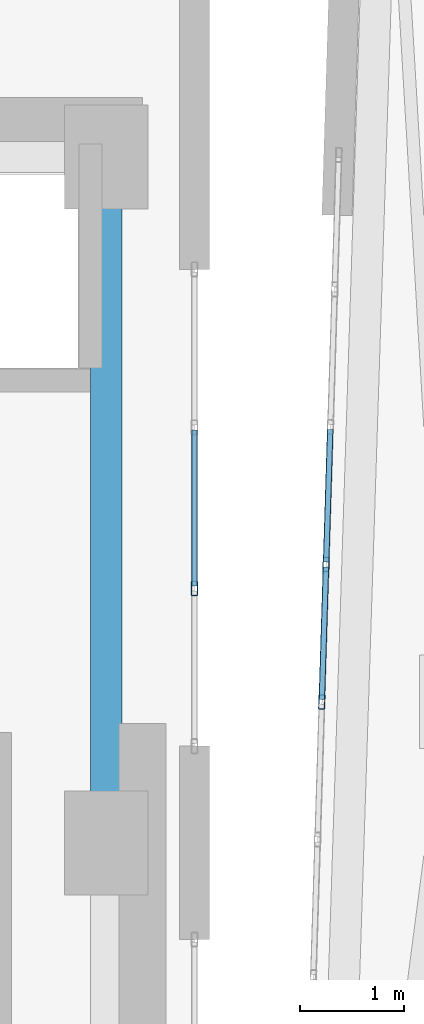
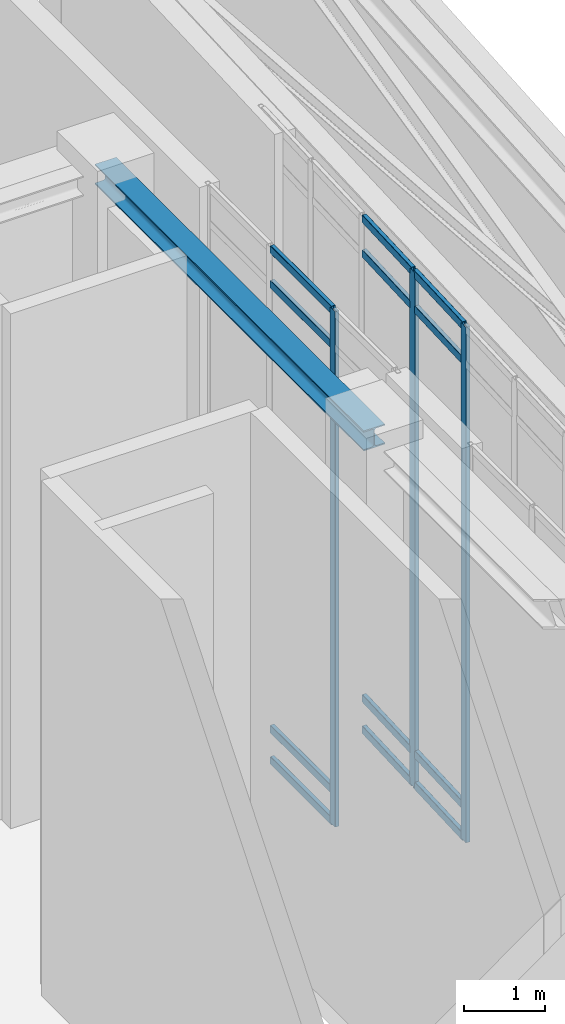
# One storey, part 6 of 12: 15 members, 1 beam, 2 elements without a shape of their own.
"""IFC4 building model written with IfcOpenShell, lengths in metres."""

from ifc_helpers import new_model, si_unit, direction, frame, origin, origin_2d, place, context, subcontext, project, spatial, hollow_rectangle, i_section, extrude, material, layer, layer_set, material_profile, profile_set, type_object, element, aggregate, save


model = new_model("IFC4")

# Units and contexts
model_context = context("Model", 3, precision=1e-05, world=origin(), true_north=direction((0.0, 1.0)))
body_context = subcontext(model_context, "Body", "Model", "MODEL_VIEW")
ifc_project = project(units=[si_unit("LENGTHUNIT", "METRE"), si_unit("AREAUNIT", "SQUARE_METRE"), si_unit("VOLUMEUNIT", "CUBIC_METRE"), si_unit("PLANEANGLEUNIT", "RADIAN"), si_unit("MASSUNIT", "GRAM", prefix="KILO")], contexts=[model_context])

# Site, building, storey
site_placement = place(None, origin())
site = spatial("IfcSite", under=ifc_project, at=site_placement, CompositionType="ELEMENT")
building_placement = place(site_placement, origin())
building = spatial("IfcBuilding", under=site, at=building_placement, Name="Ndelora Gate Hotel", CompositionType="ELEMENT")
storey_placement = place(building_placement, frame((0.0, 0.0, 303.60009765625)))
storey = spatial("IfcBuildingStorey", under=building, at=storey_placement, Name="RF1", CompositionType="ELEMENT", Elevation=303.60009765625)

# Beam
ifc_material_1 = material(Name="Steel S355", Category="steel")
ifc_material_profile_1 = material_profile(ifc_material_1, i_section(OverallWidth=0.300048828125, OverallDepth=0.300048828125, WebThickness=0.010986328125, FlangeThickness=0.01904296875, FilletRadius=0.027099609375, at=origin_2d()), Name="HEB 300")
ifc_profile_set_1 = profile_set([ifc_material_profile_1], Name="Steel S355")
beam_type = type_object("IfcBeamType", Name="BM-CORE-300", PredefinedType="BEAM", material=ifc_profile_set_1)
beam_placement = place(storey_placement, frame((8.0, 0.0, 7.56982421875), z_axis=(0.0, 1.0, 0.0), x_axis=(-1.0, 0.0, 0.0)))
element("IfcBeam", 1, at=beam_placement, inside=storey, type_object=beam_type, Name="RF1 Core Tie Girder CC4-CC5", PredefinedType="BEAM", context=body_context, shape_type="SweptSolid", body=[
    extrude(i_section(OverallWidth=0.300048828125, OverallDepth=0.300048828125, WebThickness=0.010986328125, FlangeThickness=0.01904296875, FilletRadius=0.027099609375, at=origin_2d()), origin(), (0.0, 0.0, 1.0), 6.60009765625),
])

# Curtain wall, member
ifc_material_2 = material(Name="Bronze Anodised Unitised Aluminium and Low-E Glass", Category="aluminium")
ifc_layer = layer(ifc_material_2, 0.199951171875)
ifc_layer_set = layer_set([ifc_layer], Name="Bronze Anodised Unitised Aluminium and Low-E Glass")
curtain_wall_type = type_object("IfcCurtainWallType", Name="CW-SYS-8", PredefinedType="NOTDEFINED", material=ifc_layer_set)
curtain_wall_1_placement = place(storey_placement, origin())
curtain_wall_1 = element("IfcCurtainWall", 2, at=curtain_wall_1_placement, inside=storey, type_object=curtain_wall_type, Name="RF1 Split-Crown West Cleft Lantern Curtain Wall CW8-2", PredefinedType="NOTDEFINED")
ifc_material_3 = material(Name="Bronze Anodised Aluminium 6063-T6", Category="aluminium")
ifc_material_profile_2 = material_profile(ifc_material_3, hollow_rectangle(XDim=0.06005859375, YDim=0.139892578125, WallThickness=0.00390625, InnerFilletRadius=0.00390625, OuterFilletRadius=0.008056640625, at=origin_2d()), Name="ALU 140x60x4")
ifc_profile_set_2 = profile_set([ifc_material_profile_2], Name="Bronze Anodised Aluminium 6063-T6")
member_type_1 = type_object("IfcMemberType", Name="MB-CW-MUL140", PredefinedType="MULLION", material=ifc_profile_set_2)
member_1_placement = place(storey_placement, frame((8.85009765625, 2.449951171875, -0.004150390625), z_axis=(0.0, 0.0, 1.0), x_axis=(-1.0, 0.0, 0.0)))
member_1 = element("IfcMember", 3, at=member_1_placement, type_object=member_type_1, Name="CW8 mullion 2", PredefinedType="MULLION", context=body_context, shape_type="SweptSolid", body=[
    extrude(hollow_rectangle(XDim=0.06005859375, YDim=0.139892578125, WallThickness=0.00390625, InnerFilletRadius=0.00390625, OuterFilletRadius=0.008056640625, at=origin_2d()), origin(), (0.0, 0.0, 1.0), 7.72802734375),
])

# Curtain wall, members
curtain_wall_2_placement = place(storey_placement, origin())
curtain_wall_2 = element("IfcCurtainWall", 4, at=curtain_wall_2_placement, inside=storey, type_object=curtain_wall_type, Name="RF1 Split-Crown East Cleft Lantern Curtain Wall CW8", PredefinedType="NOTDEFINED")
member_2_placement = place(storey_placement, frame((10.115966796875, 2.68017578125, -0.004150390625), z_axis=(0.0, 0.0, 1.0), x_axis=(0.999515302198, -0.031131345484, 0.0)))
member_2 = element("IfcMember", 5, at=member_2_placement, type_object=member_type_1, Name="CW8 mullion 4", PredefinedType="MULLION", context=body_context, shape_type="SweptSolid", body=[
    extrude(hollow_rectangle(XDim=0.06005859375, YDim=0.139892578125, WallThickness=0.00390625, InnerFilletRadius=0.00390625, OuterFilletRadius=0.008056640625, at=origin_2d()), origin(), (0.0, 0.0, 1.0), 7.72802734375),
])
member_3_placement = place(storey_placement, frame((10.074951171875, 1.356201171875, -0.004150390625), z_axis=(0.0, 0.0, 1.0), x_axis=(0.999515302198, -0.031131345484, 0.0)))
member_3 = element("IfcMember", 6, at=member_3_placement, type_object=member_type_1, Name="CW8 mullion 5", PredefinedType="MULLION", context=body_context, shape_type="SweptSolid", body=[
    extrude(hollow_rectangle(XDim=0.06005859375, YDim=0.139892578125, WallThickness=0.00390625, InnerFilletRadius=0.00390625, OuterFilletRadius=0.008056640625, at=origin_2d()), origin(), (0.0, 0.0, 1.0), 7.72802734375),
])

# Member
ifc_material_profile_3 = material_profile(ifc_material_3, hollow_rectangle(XDim=0.06005859375, YDim=0.1201171875, WallThickness=0.00390625, InnerFilletRadius=0.00390625, OuterFilletRadius=0.008056640625, at=origin_2d()), Name="ALU 120x60x4")
ifc_profile_set_3 = profile_set([ifc_material_profile_3], Name="Bronze Anodised Aluminium 6063-T6")
member_type_2 = type_object("IfcMemberType", Name="MB-CW-TRN120", PredefinedType="USERDEFINED", material=ifc_profile_set_3)
member_4_placement = place(storey_placement, frame((8.85009765625, 2.47412109375, 0.02978515625), z_axis=(0.0, 1.0, 0.0), x_axis=(-1.0, 0.0, 0.0)))
member_4 = element("IfcMember", 7, at=member_4_placement, type_object=member_type_2, Name="CW8 transom 2.1", ObjectType="TRANSOM", PredefinedType="USERDEFINED", context=body_context, shape_type="SweptSolid", body=[
    extrude(hollow_rectangle(XDim=0.06005859375, YDim=0.1201171875, WallThickness=0.00390625, InnerFilletRadius=0.00390625, OuterFilletRadius=0.008056640625, at=origin_2d()), origin(), (0.0, 0.0, 1.0), 1.501953125),
])

member_5_placement = place(storey_placement, frame((8.85009765625, 2.47412109375, 0.5), z_axis=(0.0, 1.0, 0.0), x_axis=(-1.0, 0.0, 0.0)))
member_5 = element("IfcMember", 8, at=member_5_placement, type_object=member_type_2, Name="CW8 transom 2.2", ObjectType="TRANSOM", PredefinedType="USERDEFINED", context=body_context, shape_type="SweptSolid", body=[
    extrude(hollow_rectangle(XDim=0.06005859375, YDim=0.1201171875, WallThickness=0.00390625, InnerFilletRadius=0.00390625, OuterFilletRadius=0.008056640625, at=origin_2d()), origin(), (0.0, 0.0, 1.0), 1.501953125),
])

member_6_placement = place(storey_placement, frame((8.85009765625, 2.47412109375, 7.169921875), z_axis=(0.0, 1.0, 0.0), x_axis=(-1.0, 0.0, 0.0)))
member_6 = element("IfcMember", 9, at=member_6_placement, type_object=member_type_2, Name="CW8 transom 2.3", ObjectType="TRANSOM", PredefinedType="USERDEFINED", context=body_context, shape_type="SweptSolid", body=[
    extrude(hollow_rectangle(XDim=0.06005859375, YDim=0.1201171875, WallThickness=0.00390625, InnerFilletRadius=0.00390625, OuterFilletRadius=0.008056640625, at=origin_2d()), origin(), (0.0, 0.0, 1.0), 1.501953125),
])

member_7_placement = place(storey_placement, frame((8.85009765625, 2.47412109375, 7.68994140625), z_axis=(0.0, 1.0, 0.0), x_axis=(-1.0, 0.0, 0.0)))
member_7 = element("IfcMember", 10, at=member_7_placement, type_object=member_type_2, Name="CW8 transom 2.4", ObjectType="TRANSOM", PredefinedType="USERDEFINED", context=body_context, shape_type="SweptSolid", body=[
    extrude(hollow_rectangle(XDim=0.06005859375, YDim=0.1201171875, WallThickness=0.00390625, InnerFilletRadius=0.00390625, OuterFilletRadius=0.008056640625, at=origin_2d()), origin(), (0.0, 0.0, 1.0), 1.501953125),
])

aggregate(curtain_wall_1, [member_1, member_4, member_5, member_6, member_7])

member_8_placement = place(storey_placement, frame((10.156494140625, 3.980224609375, 0.02978515625), z_axis=(-0.030983968775, -0.999519881583, 0.0), x_axis=(0.999519881583, -0.030983968775, 0.0)))
member_8 = element("IfcMember", 11, at=member_8_placement, type_object=member_type_2, Name="CW8 transom 3.1", ObjectType="TRANSOM", PredefinedType="USERDEFINED", context=body_context, shape_type="SweptSolid", body=[
    extrude(hollow_rectangle(XDim=0.06005859375, YDim=0.1201171875, WallThickness=0.00390625, InnerFilletRadius=0.00390625, OuterFilletRadius=0.008056640625, at=origin_2d()), origin(), (0.0, 0.0, 1.0), 1.276611328125),
])

member_9_placement = place(storey_placement, frame((10.156494140625, 3.980224609375, 0.5), z_axis=(-0.030983968775, -0.999519881583, 0.0), x_axis=(0.999519881583, -0.030983968775, 0.0)))
member_9 = element("IfcMember", 12, at=member_9_placement, type_object=member_type_2, Name="CW8 transom 3.2", ObjectType="TRANSOM", PredefinedType="USERDEFINED", context=body_context, shape_type="SweptSolid", body=[
    extrude(hollow_rectangle(XDim=0.06005859375, YDim=0.1201171875, WallThickness=0.00390625, InnerFilletRadius=0.00390625, OuterFilletRadius=0.008056640625, at=origin_2d()), origin(), (0.0, 0.0, 1.0), 1.276611328125),
])

member_10_placement = place(storey_placement, frame((10.156494140625, 3.980224609375, 7.169921875), z_axis=(-0.030983968775, -0.999519881583, 0.0), x_axis=(0.999519881583, -0.030983968775, 0.0)))
member_10 = element("IfcMember", 13, at=member_10_placement, type_object=member_type_2, Name="CW8 transom 3.3", ObjectType="TRANSOM", PredefinedType="USERDEFINED", context=body_context, shape_type="SweptSolid", body=[
    extrude(hollow_rectangle(XDim=0.06005859375, YDim=0.1201171875, WallThickness=0.00390625, InnerFilletRadius=0.00390625, OuterFilletRadius=0.008056640625, at=origin_2d()), origin(), (0.0, 0.0, 1.0), 1.276611328125),
])

member_11_placement = place(storey_placement, frame((10.156494140625, 3.980224609375, 7.68994140625), z_axis=(-0.030983968775, -0.999519881583, 0.0), x_axis=(0.999519881583, -0.030983968775, 0.0)))
member_11 = element("IfcMember", 14, at=member_11_placement, type_object=member_type_2, Name="CW8 transom 3.4", ObjectType="TRANSOM", PredefinedType="USERDEFINED", context=body_context, shape_type="SweptSolid", body=[
    extrude(hollow_rectangle(XDim=0.06005859375, YDim=0.1201171875, WallThickness=0.00390625, InnerFilletRadius=0.00390625, OuterFilletRadius=0.008056640625, at=origin_2d()), origin(), (0.0, 0.0, 1.0), 1.276611328125),
])

member_12_placement = place(storey_placement, frame((10.115234375, 2.65625, 0.02978515625), z_axis=(-0.030978046786, -0.99952006514, 0.0), x_axis=(0.99952006514, -0.030978046786, 0.0)))
member_12 = element("IfcMember", 15, at=member_12_placement, type_object=member_type_2, Name="CW8 transom 4.1", ObjectType="TRANSOM", PredefinedType="USERDEFINED", context=body_context, shape_type="SweptSolid", body=[
    extrude(hollow_rectangle(XDim=0.06005859375, YDim=0.1201171875, WallThickness=0.00390625, InnerFilletRadius=0.00390625, OuterFilletRadius=0.008056640625, at=origin_2d()), origin(), (0.0, 0.0, 1.0), 1.27685546875),
])

member_13_placement = place(storey_placement, frame((10.115234375, 2.65625, 0.5), z_axis=(-0.030978046786, -0.99952006514, 0.0), x_axis=(0.99952006514, -0.030978046786, 0.0)))
member_13 = element("IfcMember", 16, at=member_13_placement, type_object=member_type_2, Name="CW8 transom 4.2", ObjectType="TRANSOM", PredefinedType="USERDEFINED", context=body_context, shape_type="SweptSolid", body=[
    extrude(hollow_rectangle(XDim=0.06005859375, YDim=0.1201171875, WallThickness=0.00390625, InnerFilletRadius=0.00390625, OuterFilletRadius=0.008056640625, at=origin_2d()), origin(), (0.0, 0.0, 1.0), 1.27685546875),
])

member_14_placement = place(storey_placement, frame((10.115234375, 2.65625, 7.169921875), z_axis=(-0.030978046786, -0.99952006514, 0.0), x_axis=(0.99952006514, -0.030978046786, 0.0)))
member_14 = element("IfcMember", 17, at=member_14_placement, type_object=member_type_2, Name="CW8 transom 4.3", ObjectType="TRANSOM", PredefinedType="USERDEFINED", context=body_context, shape_type="SweptSolid", body=[
    extrude(hollow_rectangle(XDim=0.06005859375, YDim=0.1201171875, WallThickness=0.00390625, InnerFilletRadius=0.00390625, OuterFilletRadius=0.008056640625, at=origin_2d()), origin(), (0.0, 0.0, 1.0), 1.27685546875),
])

member_15_placement = place(storey_placement, frame((10.115234375, 2.65625, 7.68994140625), z_axis=(-0.030978046786, -0.99952006514, 0.0), x_axis=(0.99952006514, -0.030978046786, 0.0)))
member_15 = element("IfcMember", 18, at=member_15_placement, type_object=member_type_2, Name="CW8 transom 4.4", ObjectType="TRANSOM", PredefinedType="USERDEFINED", context=body_context, shape_type="SweptSolid", body=[
    extrude(hollow_rectangle(XDim=0.06005859375, YDim=0.1201171875, WallThickness=0.00390625, InnerFilletRadius=0.00390625, OuterFilletRadius=0.008056640625, at=origin_2d()), origin(), (0.0, 0.0, 1.0), 1.27685546875),
])

aggregate(curtain_wall_2, [member_2, member_3, member_8, member_9, member_10, member_11, member_12, member_13, member_14, member_15])

save(model, "model.ifc")
